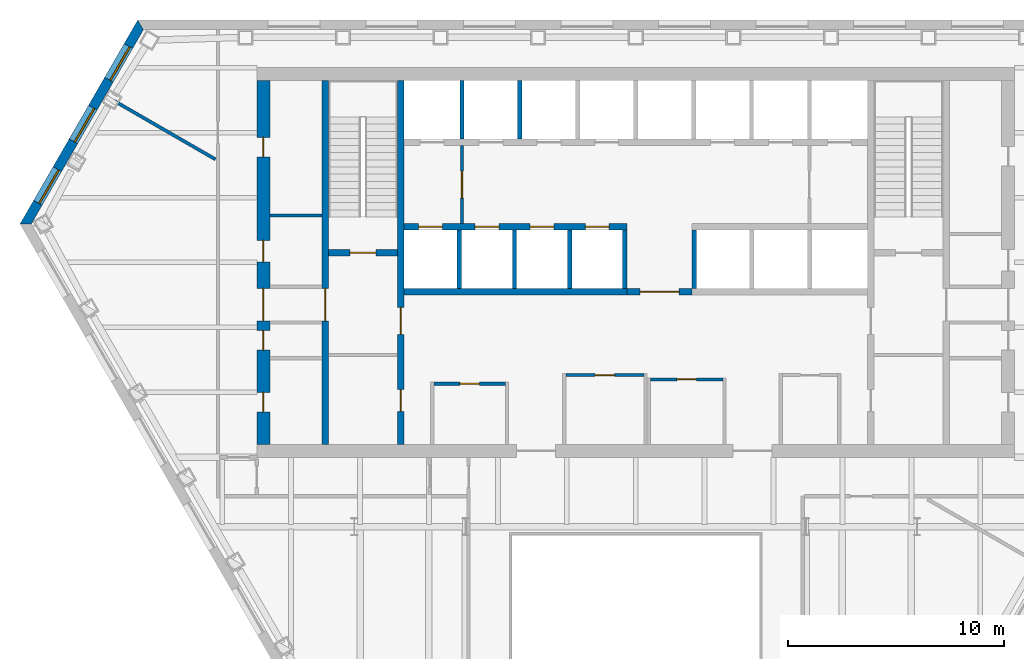
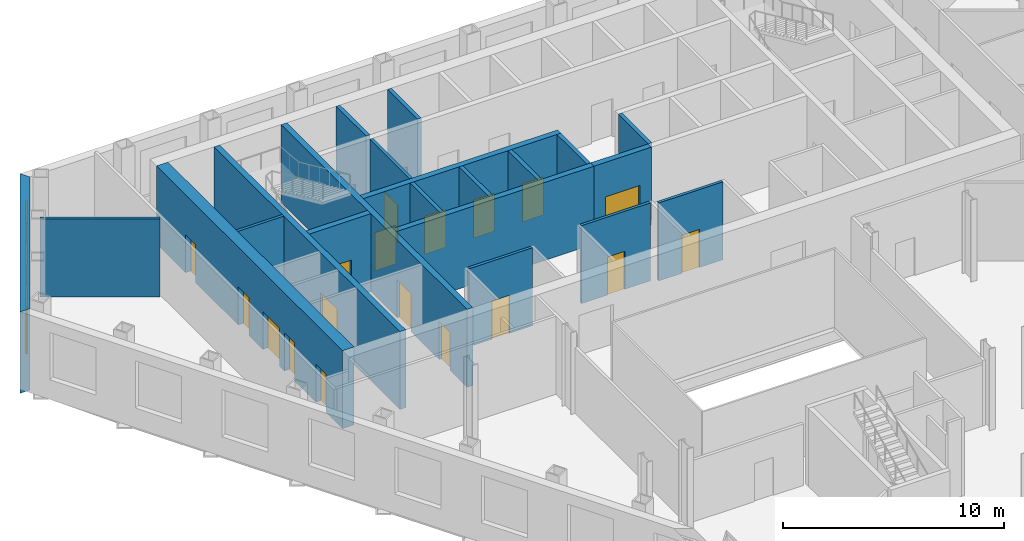
# One storey, part 6 of 11: 21 walls, 18 doors, 3 windows, 21 openings.
"""IFC4 building model written with IfcOpenShell, lengths in metres."""

import ifcopenshell
import ifcopenshell.guid

model = None  # the IFC model being written
_history = None  # IfcOwnerHistory: only IFC2X3 demands one
_inside = {}  # id of a spatial element -> (the spatial element, [elements in it])
_under = {}  # id of a project, library or spatial element -> (it, [spatial elements below it])
_declared = {}  # id of a project -> (the project, [libraries it declares])
_typed = {}  # id of a type object -> (the type object, [elements of that type])
_made_of = {}  # id of a material, layer set ... -> (it, [elements and type objects made of it])


def new_model(schema):
    """Start an empty IFC model of exactly this schema.

    Asked for "IFC4X3", IfcOpenShell would pick the latest addendum, in which some entities
    have other attributes; the version numbers below select the first issue.
    IFC2X3 requires an IfcOwnerHistory on every rooted entity: one is made here for all.
    """
    global model, _history
    if schema == "IFC4X3":
        model = ifcopenshell.file(schema_version=(4, 3, 0, 0))
    else:
        model = ifcopenshell.file(schema=schema)
    _inside.clear()
    _under.clear()
    _declared.clear()
    _typed.clear()
    _made_of.clear()
    _history = None
    if model.schema == "IFC2X3":
        org = make("IfcOrganization", Name="unknown")
        user = make(
            "IfcPersonAndOrganization",
            ThePerson=make("IfcPerson", FamilyName="unknown"),
            TheOrganization=org,
        )
        app = make(
            "IfcApplication",
            ApplicationDeveloper=org,
            Version="unknown",
            ApplicationFullName="unknown",
            ApplicationIdentifier="unknown",
        )
        _history = make(
            "IfcOwnerHistory",
            OwningUser=user,
            OwningApplication=app,
            ChangeAction="ADDED",
            CreationDate=0,
        )
    return model


def make(cls, **values):
    """One entity of the class cls with the attributes given. An attribute that is None is left unset."""
    return model.create_entity(
        cls, **{name: value for name, value in values.items() if value is not None}
    )


def rooted(cls, **values):
    """An entity with a GlobalId (a new one), such as an element, a storey or a relation."""
    return make(cls, GlobalId=ifcopenshell.guid.new(), OwnerHistory=_history, **values)


def si_unit(unit_type, name, prefix=None):
    """IfcSIUnit, for example si_unit("LENGTHUNIT", "METRE", prefix="MILLI")."""
    return make("IfcSIUnit", UnitType=unit_type, Prefix=prefix, Name=name)


def assignment(units):
    """IfcUnitAssignment: the units of a project."""
    return None if units is None else make("IfcUnitAssignment", Units=units)


def point(xyz):
    """IfcCartesianPoint."""
    return None if xyz is None else make("IfcCartesianPoint", Coordinates=xyz)


def direction(xyz):
    """IfcDirection."""
    return None if xyz is None else make("IfcDirection", DirectionRatios=xyz)


def frame(location, z_axis=None, x_axis=None):
    """IfcAxis2Placement3D, a coordinate frame: its origin and axes. An axis left out is left unset."""
    return make(
        "IfcAxis2Placement3D",
        Location=point(location),
        Axis=direction(z_axis),
        RefDirection=direction(x_axis),
    )


def frame_2d(location, x_axis=None):
    """IfcAxis2Placement2D, a coordinate frame in the plane: its origin and x axis."""
    return make(
        "IfcAxis2Placement2D", Location=point(location), RefDirection=direction(x_axis)
    )


def origin():
    """The frame at (0, 0, 0) with its axes left unset."""
    return frame((0.0, 0.0, 0.0))


def place(relative_to, where):
    """IfcLocalPlacement: puts the frame where relative to a parent placement (None: the world)."""
    return make(
        "IfcLocalPlacement", PlacementRelTo=relative_to, RelativePlacement=where
    )


def context(
    kind, dimensions, precision=None, world=None, true_north=None, identifier=None
):
    """IfcGeometricRepresentationContext, for example the 3D "Model" context."""
    return make(
        "IfcGeometricRepresentationContext",
        ContextIdentifier=identifier,
        ContextType=kind,
        CoordinateSpaceDimension=dimensions,
        Precision=precision,
        WorldCoordinateSystem=world,
        TrueNorth=true_north,
    )


def subcontext(parent, identifier, kind, view, scale=None):
    """IfcGeometricRepresentationSubContext, for example "Body" below "Model"."""
    return make(
        "IfcGeometricRepresentationSubContext",
        ContextIdentifier=identifier,
        ContextType=kind,
        ParentContext=parent,
        TargetScale=scale,
        TargetView=view,
    )


def project(units=None, contexts=None):
    """IfcProject with its units and contexts."""
    return rooted(
        "IfcProject",
        Name="project",
        RepresentationContexts=contexts,
        UnitsInContext=assignment(units),
    )


def spatial(cls, under=None, at=None, **own):
    """A site, building, storey or space (cls), placed at a placement, below another one or the project."""
    s = rooted(cls, ObjectPlacement=at, **own)
    if under is not None:
        _under.setdefault(under.id(), (under, []))[1].append(s)
    return s


def polyline(points):
    """IfcPolyline through the points."""
    return make("IfcPolyline", Points=[point(p) for p in points])


def profile(cls, at=None, kind="AREA", **sizes):
    """A parametric profile (cls). Its sizes go by their IFC names, for example OverallWidth=200.0."""
    return make(cls, ProfileType=kind, Position=at, **sizes)


def rectangle(**sizes):
    """IfcRectangleProfileDef."""
    return profile("IfcRectangleProfileDef", **sizes)


def outline(outer, holes=None, kind="AREA"):
    """IfcArbitraryClosedProfileDef: a profile drawn as a closed curve; with holes, ...WithVoids."""
    if holes is None:
        return make("IfcArbitraryClosedProfileDef", ProfileType=kind, OuterCurve=outer)
    return make(
        "IfcArbitraryProfileDefWithVoids",
        ProfileType=kind,
        OuterCurve=outer,
        InnerCurves=holes,
    )


def extrude(swept, where, along, depth):
    """IfcExtrudedAreaSolid: the profile swept, set in the frame where, extruded along a direction by depth."""
    return make(
        "IfcExtrudedAreaSolid",
        SweptArea=swept,
        Position=where,
        ExtrudedDirection=direction(along),
        Depth=depth,
    )


def shape(context_of_items, identifier, shape_type, items):
    """IfcShapeRepresentation: the items that make up one representation, for example the "Body"."""
    return make(
        "IfcShapeRepresentation",
        ContextOfItems=context_of_items,
        RepresentationIdentifier=identifier,
        RepresentationType=shape_type,
        Items=items,
    )


def material(Name=None, Category=None):
    """IfcMaterial."""
    return make("IfcMaterial", Name=Name, Category=Category)


def layer(
    of_material, thickness, ventilated=None, Name=None, Category=None, Priority=None
):
    """IfcMaterialLayer: one layer of a wall or slab, of a material (None: an air gap)."""
    return make(
        "IfcMaterialLayer",
        Material=of_material,
        LayerThickness=thickness,
        IsVentilated=ventilated,
        Name=Name,
        Category=Category,
        Priority=Priority,
    )


def layer_set(layers, Name=None):
    """IfcMaterialLayerSet."""
    return make("IfcMaterialLayerSet", MaterialLayers=layers, LayerSetName=Name)


def made_of(thing, what):
    """Note that an element or type object is made of a material, layer set ...; save() writes the relation."""
    if what is not None:
        _made_of.setdefault(what.id(), (what, []))[1].append(thing)
    return thing


def type_object(cls, material=None, **own):
    """A type object (cls), such as IfcWallType, which elements share."""
    return made_of(rooted(cls, **own), material)


def element(
    cls,
    number,
    at=None,
    inside=None,
    cuts=None,
    type_object=None,
    material=None,
    context=None,
    identifier="Body",
    shape_type=None,
    held_by="IfcProductDefinitionShape",
    body=None,
    shapes=None,
    **own,
):
    """One element of the class cls, such as IfcWall. Its Tag is "e" and its number.

    at: its placement. inside: the storey or other place that contains it. cuts: it is an
    opening in that element (IfcRelVoidsElement). A single representation is given by context,
    identifier, shape_type and body (its items); several are given by shapes. held_by: the class
    of the entity that holds the representations. save() writes the other relations.
    """
    e = rooted(cls, Tag="e%d" % number, ObjectPlacement=at, **own)
    if body is not None:
        shapes = [shape(context, identifier, shape_type, body)]
    if shapes is not None:
        e.Representation = make(held_by, Representations=shapes)
    if inside is not None:
        _inside.setdefault(inside.id(), (inside, []))[1].append(e)
    if cuts is not None:
        rooted(
            "IfcRelVoidsElement", RelatingBuildingElement=cuts, RelatedOpeningElement=e
        )
    if type_object is not None:
        _typed.setdefault(type_object.id(), (type_object, []))[1].append(e)
    return made_of(e, material)


def fill(opening, filler):
    """IfcRelFillsElement: the door or window that sits in an opening."""
    return rooted(
        "IfcRelFillsElement",
        RelatingOpeningElement=opening,
        RelatedBuildingElement=filler,
    )


def aggregate(whole, parts):
    """IfcRelAggregates: a whole, such as a stair, and the parts it consists of."""
    return rooted("IfcRelAggregates", RelatingObject=whole, RelatedObjects=parts)


def save(model, path):
    """Write the relations noted so far, then the file.

    IfcRelAggregates (storeys below a building ...), IfcRelContainedInSpatialStructure (elements
    in a storey), IfcRelDefinesByType, IfcRelAssociatesMaterial and IfcRelDeclares: one each for
    every whole, place, type object, material and project.
    """
    for whole, parts in _under.values():
        aggregate(whole, parts)
    for where, things in _inside.values():
        rooted(
            "IfcRelContainedInSpatialStructure",
            RelatedElements=things,
            RelatingStructure=where,
        )
    for kind, things in _typed.values():
        rooted("IfcRelDefinesByType", RelatedObjects=things, RelatingType=kind)
    for what, things in _made_of.values():
        rooted("IfcRelAssociatesMaterial", RelatedObjects=things, RelatingMaterial=what)
    for by, libraries in _declared.values():
        rooted("IfcRelDeclares", RelatingContext=by, RelatedDefinitions=libraries)
    model.write(path)


model = new_model("IFC4")

# Units and contexts
model_context = context("Model", 3, precision=1e-05, world=origin(), true_north=direction((0.0, 1.0)))
body_context = subcontext(model_context, "Body", "Model", "MODEL_VIEW")
ifc_project = project(units=[si_unit("LENGTHUNIT", "METRE"), si_unit("AREAUNIT", "SQUARE_METRE"), si_unit("VOLUMEUNIT", "CUBIC_METRE"), si_unit("PLANEANGLEUNIT", "RADIAN"), si_unit("MASSUNIT", "GRAM", prefix="KILO")], contexts=[model_context])

# Site, building, storey
site_placement = place(None, origin())
site = spatial("IfcSite", under=ifc_project, at=site_placement, CompositionType="ELEMENT")
building_placement = place(site_placement, origin())
building = spatial("IfcBuilding", under=site, at=building_placement, Name="Njiva Tower", CompositionType="ELEMENT")
storey_placement = place(building_placement, frame((0.0, 0.0, 69.3)))
storey = spatial("IfcBuildingStorey", under=building, at=storey_placement, Name="L14", CompositionType="ELEMENT", Elevation=69.3)

# Wall
ifc_material_1 = material(Name="Blockwork", Category="masonry")
ifc_layer_1 = layer(ifc_material_1, 0.15)
ifc_layer_set_1 = layer_set([ifc_layer_1], Name="Blockwork")
wall_type_1 = type_object("IfcWallType", Name="WT1 Compartment partition 150", PredefinedType="PARTITIONING", material=ifc_layer_set_1)
wall_1_placement = place(storey_placement, frame((-16.9, 11.1709, 0.0), z_axis=(0.0, 0.0, 1.0), x_axis=(1.0, 0.0, 0.0)))
element("IfcWall", 1, at=wall_1_placement, inside=storey, type_object=wall_type_1, Name="Partition strip W10", PredefinedType="PARTITIONING", context=body_context, shape_type="SweptSolid", body=[
    extrude(rectangle(XDim=2.4, YDim=0.15, at=frame_2d((1.2, 0.0))), origin(), (0.0, 0.0, 1.0), 4.3),
])

# Wall, opening, door
wall_2_placement = place(storey_placement, frame((-9.325, 3.4, 0.0), z_axis=(0.0, 0.0, 1.0), x_axis=(1.0, 0.0, 0.0)))
wall_2 = element("IfcWall", 2, at=wall_2_placement, inside=storey, type_object=wall_type_1, Name="Post room wall north", PredefinedType="PARTITIONING", context=body_context, shape_type="SweptSolid", body=[
    extrude(rectangle(XDim=3.3, YDim=0.15, at=frame_2d((1.65, 0.0))), origin(), (0.0, 0.0, 1.0), 4.3),
])
opening_1_placement = place(wall_2_placement, frame((1.2, 0.0, 0.0)))
opening_1 = element("IfcOpeningElement", 3, at=opening_1_placement, cuts=wall_2, Name="Opening S05-D932", PredefinedType="OPENING", context=body_context, shape_type="SweptSolid", body=[
    extrude(rectangle(XDim=0.9, YDim=2.1, at=frame_2d((0.45, 1.05))), frame((0.0, 0.085, 0.0), z_axis=(0.0, -1.0, 0.0), x_axis=(1.0, 0.0, 0.0)), (0.0, 0.0, 1.0), 0.17),
])
ifc_material_2 = material(Name="Steel fire door, painted", Category="steel")
door_type_1 = type_object("IfcDoorType", Name="D6 Fire-rated door 900x2100", OperationType="SINGLE_SWING_LEFT", PredefinedType="DOOR", material=ifc_material_2)
door_1_placement = place(opening_1_placement, origin())
door_1 = element("IfcDoor", 4, at=door_1_placement, inside=storey, type_object=door_type_1, Name="Post room door", OperationType="SINGLE_SWING_RIGHT", OverallHeight=2.1, OverallWidth=0.9, PredefinedType="DOOR", context=body_context, shape_type="SweptSolid", body=[
    extrude(rectangle(XDim=0.9, YDim=2.1, at=frame_2d((0.45, 1.05))), frame((0.0, 0.025, 0.0), z_axis=(0.0, -1.0, 0.0), x_axis=(1.0, 0.0, 0.0)), (0.0, 0.0, 1.0), 0.05),
])
fill(opening_1, door_1)

wall_3_placement = place(storey_placement, frame((-3.225, 3.8, 0.0), z_axis=(0.0, 0.0, 1.0), x_axis=(1.0, 0.0, 0.0)))
wall_3 = element("IfcWall", 5, at=wall_3_placement, inside=storey, type_object=wall_type_1, Name="Information office wall north", PredefinedType="PARTITIONING", context=body_context, shape_type="SweptSolid", body=[
    extrude(rectangle(XDim=3.6, YDim=0.15, at=frame_2d((1.8, 0.0))), origin(), (0.0, 0.0, 1.0), 4.3),
])
opening_2_placement = place(wall_3_placement, frame((1.35, 0.0, 0.0)))
opening_2 = element("IfcOpeningElement", 6, at=opening_2_placement, cuts=wall_3, Name="Opening S05-D933", PredefinedType="OPENING", context=body_context, shape_type="SweptSolid", body=[
    extrude(rectangle(XDim=0.9, YDim=2.1, at=frame_2d((0.45, 1.05))), frame((0.0, 0.085, 0.0), z_axis=(0.0, -1.0, 0.0), x_axis=(1.0, 0.0, 0.0)), (0.0, 0.0, 1.0), 0.17),
])
door_2_placement = place(opening_2_placement, origin())
door_2 = element("IfcDoor", 7, at=door_2_placement, inside=storey, type_object=door_type_1, Name="Information office door", OperationType="SINGLE_SWING_LEFT", OverallHeight=2.1, OverallWidth=0.9, PredefinedType="DOOR", context=body_context, shape_type="SweptSolid", body=[
    extrude(rectangle(XDim=0.9, YDim=2.1, at=frame_2d((0.45, 1.05))), frame((0.0, 0.025, 0.0), z_axis=(0.0, -1.0, 0.0), x_axis=(1.0, 0.0, 0.0)), (0.0, 0.0, 1.0), 0.05),
])
fill(opening_2, door_2)

wall_4_placement = place(storey_placement, frame((0.675, 3.6, 0.0), z_axis=(0.0, 0.0, 1.0), x_axis=(1.0, 0.0, 0.0)))
wall_4 = element("IfcWall", 8, at=wall_4_placement, inside=storey, type_object=wall_type_1, Name="Tenant reception wall north", PredefinedType="PARTITIONING", context=body_context, shape_type="SweptSolid", body=[
    extrude(rectangle(XDim=3.35, YDim=0.15, at=frame_2d((1.675, 0.0))), origin(), (0.0, 0.0, 1.0), 4.3),
])
opening_3_placement = place(wall_4_placement, frame((1.225, 0.0, 0.0)))
opening_3 = element("IfcOpeningElement", 9, at=opening_3_placement, cuts=wall_4, Name="Opening S05-D934", PredefinedType="OPENING", context=body_context, shape_type="SweptSolid", body=[
    extrude(rectangle(XDim=0.9, YDim=2.1, at=frame_2d((0.45, 1.05))), frame((0.0, 0.085, 0.0), z_axis=(0.0, -1.0, 0.0), x_axis=(1.0, 0.0, 0.0)), (0.0, 0.0, 1.0), 0.17),
])
door_3_placement = place(opening_3_placement, origin())
door_3 = element("IfcDoor", 10, at=door_3_placement, inside=storey, type_object=door_type_1, Name="Tenant reception door", OperationType="SINGLE_SWING_LEFT", OverallHeight=2.1, OverallWidth=0.9, PredefinedType="DOOR", context=body_context, shape_type="SweptSolid", body=[
    extrude(rectangle(XDim=0.9, YDim=2.1, at=frame_2d((0.45, 1.05))), frame((0.0, 0.025, 0.0), z_axis=(0.0, -1.0, 0.0), x_axis=(1.0, 0.0, 0.0)), (0.0, 0.0, 1.0), 0.05),
])
fill(opening_3, door_3)

# Wall, openings, doors
ifc_material_3 = material(Name="Concrete C40/50", Category="concrete")
ifc_layer_2 = layer(ifc_material_3, 0.3)
ifc_layer_set_2 = layer_set([ifc_layer_2], Name="Concrete C40/50")
wall_type_2 = type_object("IfcWallType", Name="WT10 Stair enclosure wall 300", PredefinedType="SHEAR", material=ifc_layer_set_2)
wall_5_placement = place(storey_placement, frame((-10.85, 0.6, 0.0), z_axis=(0.0, 0.0, 1.0), x_axis=(0.0, 1.0, 0.0)))
wall_5 = element("IfcWall", 11, at=wall_5_placement, inside=storey, type_object=wall_type_2, Name="Stair wall west inner", PredefinedType="SHEAR", context=body_context, shape_type="SweptSolid", body=[
    extrude(rectangle(XDim=16.8, YDim=0.3, at=frame_2d((8.4, 0.0))), origin(), (0.0, 0.0, 1.0), 4.3),
])
opening_4_placement = place(wall_5_placement, frame((5.075, 0.0, 0.0)))
opening_4 = element("IfcOpeningElement", 12, at=opening_4_placement, cuts=wall_5, Name="Opening S05-D914", PredefinedType="OPENING", context=body_context, shape_type="SweptSolid", body=[
    extrude(rectangle(XDim=1.25, YDim=2.1, at=frame_2d((0.625, 1.05))), frame((0.0, 0.16, 0.0), z_axis=(0.0, -1.0, 0.0), x_axis=(1.0, 0.0, 0.0)), (0.0, 0.0, 1.0), 0.32),
])
opening_5_placement = place(wall_5_placement, frame((1.525, 0.0, 0.0)))
opening_5 = element("IfcOpeningElement", 13, at=opening_5_placement, cuts=wall_5, Name="Opening S05-D915", PredefinedType="OPENING", context=body_context, shape_type="SweptSolid", body=[
    extrude(rectangle(XDim=1.0, YDim=2.1, at=frame_2d((0.5, 1.05))), frame((0.0, 0.16, 0.0), z_axis=(0.0, -1.0, 0.0), x_axis=(1.0, 0.0, 0.0)), (0.0, 0.0, 1.0), 0.32),
])
ifc_material_4 = material(Name="Steel door, painted", Category="steel")
door_type_2 = type_object("IfcDoorType", Name="D5 Steel door 1000x2100", OperationType="SINGLE_SWING_LEFT", PredefinedType="DOOR", material=ifc_material_4)
door_4_placement = place(opening_5_placement, origin())
door_4 = element("IfcDoor", 14, at=door_4_placement, inside=storey, type_object=door_type_2, Name="Breakout room door", OperationType="SINGLE_SWING_RIGHT", OverallHeight=2.1, OverallWidth=1.0, PredefinedType="DOOR", context=body_context, shape_type="SweptSolid", body=[
    extrude(rectangle(XDim=1.0, YDim=2.1, at=frame_2d((0.5, 1.05))), frame((0.0, 0.025, 0.0), z_axis=(0.0, -1.0, 0.0), x_axis=(1.0, 0.0, 0.0)), (0.0, 0.0, 1.0), 0.05),
])
fill(opening_5, door_4)
ifc_material_5 = material(Name="Glazed steel fire door", Category="steel")
door_type_3 = type_object("IfcDoorType", Name="D8 Vestibule corridor door 1250x2100 glazed", OperationType="SINGLE_SWING_LEFT", PredefinedType="DOOR", material=ifc_material_5)
door_5_placement = place(opening_4_placement, origin())
door_5 = element("IfcDoor", 15, at=door_5_placement, inside=storey, type_object=door_type_3, Name="Stair vestibule corridor door", OperationType="SINGLE_SWING_LEFT", OverallHeight=2.1, OverallWidth=1.25, PredefinedType="DOOR", context=body_context, shape_type="SweptSolid", body=[
    extrude(rectangle(XDim=1.25, YDim=2.1, at=frame_2d((0.625, 1.05))), frame((0.0, 0.025, 0.0), z_axis=(0.0, -1.0, 0.0), x_axis=(1.0, 0.0, 0.0)), (0.0, 0.0, 1.0), 0.05),
])
fill(opening_4, door_5)

# Wall, opening, door
wall_6_placement = place(storey_placement, frame((-14.35, 0.6, 0.0), z_axis=(0.0, 0.0, 1.0), x_axis=(0.0, 1.0, 0.0)))
wall_6 = element("IfcWall", 16, at=wall_6_placement, inside=storey, type_object=wall_type_2, Name="Stair wall west outer", PredefinedType="SHEAR", context=body_context, shape_type="SweptSolid", body=[
    extrude(rectangle(XDim=16.8, YDim=0.3, at=frame_2d((8.4, 0.0))), origin(), (0.0, 0.0, 1.0), 4.3),
])
opening_6_placement = place(wall_6_placement, frame((5.7, 0.0, 0.0)))
opening_6 = element("IfcOpeningElement", 17, at=opening_6_placement, cuts=wall_6, Name="Opening S05-D920", PredefinedType="OPENING", context=body_context, shape_type="SweptSolid", body=[
    extrude(rectangle(XDim=1.5, YDim=2.1, at=frame_2d((0.75, 1.05))), frame((0.0, 0.16, 0.0), z_axis=(0.0, -1.0, 0.0), x_axis=(1.0, 0.0, 0.0)), (0.0, 0.0, 1.0), 0.32),
])
door_type_4 = type_object("IfcDoorType", Name="D10 Exit door double 1500x2100 glazed", OperationType="DOUBLE_DOOR_SINGLE_SWING", PredefinedType="DOOR", material=ifc_material_5)
door_6_placement = place(opening_6_placement, origin())
door_6 = element("IfcDoor", 18, at=door_6_placement, inside=storey, type_object=door_type_4, Name="Stair A passage door", OperationType="DOUBLE_DOOR_SINGLE_SWING", OverallHeight=2.1, OverallWidth=1.5, PredefinedType="DOOR", context=body_context, shape_type="SweptSolid", body=[
    extrude(rectangle(XDim=1.5, YDim=2.1, at=frame_2d((0.75, 1.05))), frame((0.0, 0.025, 0.0), z_axis=(0.0, -1.0, 0.0), x_axis=(1.0, 0.0, 0.0)), (0.0, 0.0, 1.0), 0.05),
])
fill(opening_6, door_6)

wall_7_placement = place(storey_placement, frame((-14.2, 9.45, 0.0), z_axis=(0.0, 0.0, 1.0), x_axis=(1.0, 0.0, 0.0)))
wall_7 = element("IfcWall", 19, at=wall_7_placement, inside=storey, type_object=wall_type_2, Name="Stair A south wall", PredefinedType="SHEAR", context=body_context, shape_type="SweptSolid", body=[
    extrude(rectangle(XDim=3.2, YDim=0.3, at=frame_2d((1.6, 0.0))), origin(), (0.0, 0.0, 1.0), 4.3),
])
opening_7_placement = place(wall_7_placement, frame((1.0, 0.0, 0.0)))
opening_7 = element("IfcOpeningElement", 20, at=opening_7_placement, cuts=wall_7, Name="Opening S05-D913", PredefinedType="OPENING", context=body_context, shape_type="SweptSolid", body=[
    extrude(rectangle(XDim=1.2, YDim=2.1, at=frame_2d((0.6, 1.05))), frame((0.0, 0.16, 0.0), z_axis=(0.0, -1.0, 0.0), x_axis=(1.0, 0.0, 0.0)), (0.0, 0.0, 1.0), 0.32),
])
door_type_5 = type_object("IfcDoorType", Name="D7 Stair vestibule door 1200x2100 glazed", OperationType="SINGLE_SWING_LEFT", PredefinedType="DOOR", material=ifc_material_5)
door_7_placement = place(opening_7_placement, origin())
door_7 = element("IfcDoor", 21, at=door_7_placement, inside=storey, type_object=door_type_5, Name="Stair A door", OperationType="SINGLE_SWING_LEFT", OverallHeight=2.1, OverallWidth=1.2, PredefinedType="DOOR", context=body_context, shape_type="SweptSolid", body=[
    extrude(rectangle(XDim=1.2, YDim=2.1, at=frame_2d((0.6, 1.05))), frame((0.0, 0.025, 0.0), z_axis=(0.0, -1.0, 0.0), x_axis=(1.0, 0.0, 0.0)), (0.0, 0.0, 1.0), 0.05),
])
fill(opening_7, door_7)

# Wall, openings, doors
ifc_material_6 = material(Name="Concrete C60/75", Category="concrete")
ifc_layer_3 = layer(ifc_material_6, 0.6)
ifc_layer_set_3 = layer_set([ifc_layer_3], Name="Concrete C60/75")
wall_type_3 = type_object("IfcWallType", Name="WT15 Core wall 600", PredefinedType="SHEAR", material=ifc_layer_set_3)
wall_8_placement = place(storey_placement, frame((-17.2, 0.6, 0.0), z_axis=(0.0, 0.0, 1.0), x_axis=(0.0, 1.0, 0.0)))
wall_8 = element("IfcWall", 22, at=wall_8_placement, inside=storey, type_object=wall_type_3, Name="Core wall west", PredefinedType="SHEAR", context=body_context, shape_type="SweptSolid", body=[
    extrude(rectangle(XDim=16.8, YDim=0.6, at=frame_2d((8.4, 0.0))), origin(), (0.0, 0.0, 1.0), 4.3),
])
opening_8_placement = place(wall_8_placement, frame((5.7, 0.0, 0.0)))
opening_8 = element("IfcOpeningElement", 23, at=opening_8_placement, cuts=wall_8, Name="Opening S05-D921", PredefinedType="OPENING", context=body_context, shape_type="SweptSolid", body=[
    extrude(rectangle(XDim=1.5, YDim=2.1, at=frame_2d((0.75, 1.05))), frame((0.0, 0.31, 0.0), z_axis=(0.0, -1.0, 0.0), x_axis=(1.0, 0.0, 0.0)), (0.0, 0.0, 1.0), 0.62),
])
opening_9_placement = place(wall_8_placement, frame((1.5, 0.0, 0.0)))
opening_9 = element("IfcOpeningElement", 24, at=opening_9_placement, cuts=wall_8, Name="Opening S05-D922", PredefinedType="OPENING", context=body_context, shape_type="SweptSolid", body=[
    extrude(rectangle(XDim=0.9, YDim=2.1, at=frame_2d((0.45, 1.05))), frame((0.0, 0.31, 0.0), z_axis=(0.0, -1.0, 0.0), x_axis=(1.0, 0.0, 0.0)), (0.0, 0.0, 1.0), 0.62),
])
opening_10_placement = place(wall_8_placement, frame((4.35, 0.0, 0.0)))
opening_10 = element("IfcOpeningElement", 25, at=opening_10_placement, cuts=wall_8, Name="Opening S05-D923", PredefinedType="OPENING", context=body_context, shape_type="SweptSolid", body=[
    extrude(rectangle(XDim=0.9, YDim=2.1, at=frame_2d((0.45, 1.05))), frame((0.0, 0.31, 0.0), z_axis=(0.0, -1.0, 0.0), x_axis=(1.0, 0.0, 0.0)), (0.0, 0.0, 1.0), 0.62),
])
opening_11_placement = place(wall_8_placement, frame((8.423, 0.0, 0.0)))
opening_11 = element("IfcOpeningElement", 26, at=opening_11_placement, cuts=wall_8, Name="Opening S05-D924", PredefinedType="OPENING", context=body_context, shape_type="SweptSolid", body=[
    extrude(rectangle(XDim=1.0, YDim=2.1, at=frame_2d((0.5, 1.05))), frame((0.0, 0.31, 0.0), z_axis=(0.0, -1.0, 0.0), x_axis=(1.0, 0.0, 0.0)), (0.0, 0.0, 1.0), 0.62),
])
opening_12_placement = place(wall_8_placement, frame((13.273, 0.0, 0.0)))
opening_12 = element("IfcOpeningElement", 27, at=opening_12_placement, cuts=wall_8, Name="Opening S05-D925", PredefinedType="OPENING", context=body_context, shape_type="SweptSolid", body=[
    extrude(rectangle(XDim=0.9, YDim=2.1, at=frame_2d((0.45, 1.05))), frame((0.0, 0.31, 0.0), z_axis=(0.0, -1.0, 0.0), x_axis=(1.0, 0.0, 0.0)), (0.0, 0.0, 1.0), 0.62),
])
door_8_placement = place(opening_8_placement, origin())
door_8 = element("IfcDoor", 28, at=door_8_placement, inside=storey, type_object=door_type_4, Name="Stair A corridor door", OperationType="DOUBLE_DOOR_SINGLE_SWING", OverallHeight=2.1, OverallWidth=1.5, PredefinedType="DOOR", context=body_context, shape_type="SweptSolid", body=[
    extrude(rectangle(XDim=1.5, YDim=2.1, at=frame_2d((0.75, 1.05))), frame((0.0, 0.025, 0.0), z_axis=(0.0, -1.0, 0.0), x_axis=(1.0, 0.0, 0.0)), (0.0, 0.0, 1.0), 0.05),
])
fill(opening_8, door_8)
door_type_6 = type_object("IfcDoorType", Name="D4 Riser door 900x2100", OperationType="SINGLE_SWING_LEFT", PredefinedType="DOOR", material=ifc_material_4)
door_9_placement = place(opening_10_placement, origin())
door_9 = element("IfcDoor", 29, at=door_9_placement, inside=storey, type_object=door_type_6, Name="Riser door", OperationType="SINGLE_SWING_RIGHT", OverallHeight=2.1, OverallWidth=0.9, PredefinedType="DOOR", context=body_context, shape_type="SweptSolid", body=[
    extrude(rectangle(XDim=0.9, YDim=2.1, at=frame_2d((0.45, 1.05))), frame((0.0, 0.025, 0.0), z_axis=(0.0, -1.0, 0.0), x_axis=(1.0, 0.0, 0.0)), (0.0, 0.0, 1.0), 0.05),
])
fill(opening_10, door_9)
door_10_placement = place(opening_11_placement, origin())
door_10 = element("IfcDoor", 30, at=door_10_placement, inside=storey, type_object=door_type_2, Name="Electrical room door", OperationType="SINGLE_SWING_RIGHT", OverallHeight=2.1, OverallWidth=1.0, PredefinedType="DOOR", context=body_context, shape_type="SweptSolid", body=[
    extrude(rectangle(XDim=1.0, YDim=2.1, at=frame_2d((0.5, 1.05))), frame((0.0, 0.025, 0.0), z_axis=(0.0, -1.0, 0.0), x_axis=(1.0, 0.0, 0.0)), (0.0, 0.0, 1.0), 0.05),
])
fill(opening_11, door_10)
door_11_placement = place(opening_9_placement, origin())
door_11 = element("IfcDoor", 31, at=door_11_placement, inside=storey, type_object=door_type_1, Name="First aid room door", OperationType="SINGLE_SWING_LEFT", OverallHeight=2.1, OverallWidth=0.9, PredefinedType="DOOR", context=body_context, shape_type="SweptSolid", body=[
    extrude(rectangle(XDim=0.9, YDim=2.1, at=frame_2d((0.45, 1.05))), frame((0.0, 0.025, 0.0), z_axis=(0.0, -1.0, 0.0), x_axis=(1.0, 0.0, 0.0)), (0.0, 0.0, 1.0), 0.05),
])
fill(opening_9, door_11)
door_12_placement = place(opening_12_placement, origin())
door_12 = element("IfcDoor", 32, at=door_12_placement, inside=storey, type_object=door_type_1, Name="Breakout room door", OperationType="SINGLE_SWING_RIGHT", OverallHeight=2.1, OverallWidth=0.9, PredefinedType="DOOR", context=body_context, shape_type="SweptSolid", body=[
    extrude(rectangle(XDim=0.9, YDim=2.1, at=frame_2d((0.45, 1.05))), frame((0.0, 0.025, 0.0), z_axis=(0.0, -1.0, 0.0), x_axis=(1.0, 0.0, 0.0)), (0.0, 0.0, 1.0), 0.05),
])
fill(opening_12, door_12)

# Wall, opening, door
ifc_layer_4 = layer(ifc_material_1, 0.15)
ifc_layer_set_4 = layer_set([ifc_layer_4], Name="Blockwork")
wall_type_4 = type_object("IfcWallType", Name="WT2 Lobby partition 150", PredefinedType="PARTITIONING", material=ifc_layer_set_4)
wall_9_placement = place(storey_placement, frame((-8.025, 10.8, 0.0), z_axis=(0.0, 0.0, 1.0), x_axis=(0.0, 1.0, 0.0)))
wall_9 = element("IfcWall", 33, at=wall_9_placement, inside=storey, type_object=wall_type_4, Name="Firefighting lobby wall A", PredefinedType="PARTITIONING", context=body_context, shape_type="SweptSolid", body=[
    extrude(rectangle(XDim=3.6, YDim=0.15, at=frame_2d((1.8, 0.0))), origin(), (0.0, 0.0, 1.0), 4.3),
])
opening_13_placement = place(wall_9_placement, frame((1.175, 0.0, 0.0)))
opening_13 = element("IfcOpeningElement", 34, at=opening_13_placement, cuts=wall_9, Name="Opening S05-D912", PredefinedType="OPENING", context=body_context, shape_type="SweptSolid", body=[
    extrude(rectangle(XDim=1.25, YDim=2.1, at=frame_2d((0.625, 1.05))), frame((0.0, 0.085, 0.0), z_axis=(0.0, -1.0, 0.0), x_axis=(1.0, 0.0, 0.0)), (0.0, 0.0, 1.0), 0.17),
])
door_13_placement = place(opening_13_placement, origin())
door_13 = element("IfcDoor", 35, at=door_13_placement, inside=storey, type_object=door_type_3, Name="Stair vestibule corridor door", OperationType="SINGLE_SWING_RIGHT", OverallHeight=2.1, OverallWidth=1.25, PredefinedType="DOOR", context=body_context, shape_type="SweptSolid", body=[
    extrude(rectangle(XDim=1.25, YDim=2.1, at=frame_2d((0.625, 1.05))), frame((0.0, 0.025, 0.0), z_axis=(0.0, -1.0, 0.0), x_axis=(1.0, 0.0, 0.0)), (0.0, 0.0, 1.0), 0.05),
])
fill(opening_13, door_13)

# Wall
ifc_material_7 = material(Name="Gypsum board on steel studs", Category="gypsum")
ifc_layer_5 = layer(ifc_material_7, 0.15)
ifc_layer_set_5 = layer_set([ifc_layer_5], Name="Gypsum board on steel studs")
wall_type_5 = type_object("IfcWallType", Name="WT21 Compartment wall 150", PredefinedType="PARTITIONING", material=ifc_layer_set_5)
wall_10_placement = place(storey_placement, frame((-24.111, 16.476, 0.0), z_axis=(0.0, 0.0, 1.0), x_axis=(0.866102723824, -0.499866053843, 0.0)))
element("IfcWall", 36, at=wall_10_placement, inside=storey, type_object=wall_type_5, Name="Partition S05-P001", PredefinedType="PARTITIONING", context=body_context, shape_type="SweptSolid", body=[
    extrude(rectangle(XDim=5.4255, YDim=0.15, at=frame_2d((2.7128, 0.0))), origin(), (0.0, 0.0, 1.0), 4.3),
])

# Wall, opening, door
ifc_layer_6 = layer(ifc_material_1, 0.3)
ifc_layer_set_6 = layer_set([ifc_layer_6], Name="Blockwork")
wall_type_6 = type_object("IfcWallType", Name="WT5 Lobby partition 300", PredefinedType="PARTITIONING", material=ifc_layer_set_6)
wall_11_placement = place(storey_placement, frame((-0.4, 7.65, 0.0), z_axis=(0.0, 0.0, 1.0), x_axis=(1.0, 0.0, 0.0)))
wall_11 = element("IfcWall", 37, at=wall_11_placement, inside=storey, type_object=wall_type_6, Name="Lift lobby screen wall", PredefinedType="PARTITIONING", context=body_context, shape_type="SweptSolid", body=[
    extrude(rectangle(XDim=3.0, YDim=0.3, at=frame_2d((1.5, 0.0))), origin(), (0.0, 0.0, 1.0), 4.3),
])
opening_14_placement = place(wall_11_placement, frame((0.6, 0.0, 0.0)))
opening_14 = element("IfcOpeningElement", 38, at=opening_14_placement, cuts=wall_11, Name="Opening S05-D936", PredefinedType="OPENING", context=body_context, shape_type="SweptSolid", body=[
    extrude(rectangle(XDim=1.8, YDim=2.4, at=frame_2d((0.9, 1.2))), frame((0.0, 0.16, 0.0), z_axis=(0.0, -1.0, 0.0), x_axis=(1.0, 0.0, 0.0)), (0.0, 0.0, 1.0), 0.32),
])
ifc_material_8 = material(Name="Steel and glass door", Category="steel")
door_type_7 = type_object("IfcDoorType", Name="D3 Core entrance door 1800x2400", OperationType="DOUBLE_DOOR_SINGLE_SWING", PredefinedType="DOOR", material=ifc_material_8)
door_14_placement = place(opening_14_placement, origin())
door_14 = element("IfcDoor", 39, at=door_14_placement, inside=storey, type_object=door_type_7, Name="Core entrance door", OperationType="DOUBLE_DOOR_SINGLE_SWING", OverallHeight=2.4, OverallWidth=1.8, PredefinedType="DOOR", context=body_context, shape_type="SweptSolid", body=[
    extrude(rectangle(XDim=1.8, YDim=2.4, at=frame_2d((0.9, 1.2))), frame((0.0, 0.025, 0.0), z_axis=(0.0, -1.0, 0.0), x_axis=(1.0, 0.0, 0.0)), (0.0, 0.0, 1.0), 0.05),
])
fill(opening_14, door_14)

# Walls
ifc_layer_7 = layer(ifc_material_3, 0.2)
ifc_layer_set_7 = layer_set([ifc_layer_7], Name="Concrete C40/50")
wall_type_7 = type_object("IfcWallType", Name="WT6 Lift shaft wall 200", PredefinedType="SHEAR", material=ifc_layer_set_7)
for number, where, z_axis, x_axis, name in (
    (40, (-8.025, 14.7, 0.0), (0.0, 0.0, 1.0), (0.0, 1.0, 0.0), "Shaft wall CN1"),
    (41, (-5.35, 14.7, 0.0), (0.0, 0.0, 1.0), (0.0, 1.0, 0.0), "Shaft wall CN2"),
    (42, (-8.15, 7.8, 0.0), (0.0, 0.0, 1.0), (0.0, 1.0, 0.0), "Shaft wall CS1"),
    (43, (-5.6, 7.8, 0.0), (0.0, 0.0, 1.0), (0.0, 1.0, 0.0), "Shaft wall CS2"),
    (44, (-3.05, 7.8, 0.0), (0.0, 0.0, 1.0), (0.0, 1.0, 0.0), "Shaft wall CS3"),
    (45, (-0.5, 7.8, 0.0), (0.0, 0.0, 1.0), (0.0, 1.0, 0.0), "Shaft wall CS4"),
    (46, (2.7, 7.8, 0.0), (0.0, 0.0, 1.0), (0.0, 1.0, 0.0), "Shaft wall CS5"),
):
    element("IfcWall", number, at=place(storey_placement, frame(where, z_axis=z_axis, x_axis=x_axis)), inside=storey, type_object=wall_type_7, Name=name, PredefinedType="SHEAR", context=body_context, shape_type="SweptSolid", body=[
        extrude(rectangle(XDim=2.7, YDim=0.2, at=frame_2d((1.35, 0.0))), origin(), (0.0, 0.0, 1.0), 4.3),
    ])

# Wall, openings, doors
ifc_layer_8 = layer(ifc_material_3, 0.3)
ifc_layer_set_8 = layer_set([ifc_layer_8], Name="Concrete C40/50")
wall_type_8 = type_object("IfcWallType", Name="WT7 Lift shaft wall 300", PredefinedType="SHEAR", material=ifc_layer_set_8)
wall_12_placement = place(storey_placement, frame((-10.7, 10.65, 0.0), z_axis=(0.0, 0.0, 1.0), x_axis=(1.0, 0.0, 0.0)))
wall_12 = element("IfcWall", 47, at=wall_12_placement, inside=storey, type_object=wall_type_8, Name="Shaft wall south row lobby side W", PredefinedType="SHEAR", context=body_context, shape_type="SweptSolid", body=[
    extrude(rectangle(XDim=10.3, YDim=0.3, at=frame_2d((5.15, 0.0))), origin(), (0.0, 0.0, 1.0), 4.3),
])
opening_15_placement = place(wall_12_placement, frame((0.675, 0.0, 0.0)))
opening_15 = element("IfcOpeningElement", 48, at=opening_15_placement, cuts=wall_12, Name="Opening S05-D908", PredefinedType="OPENING", context=body_context, shape_type="SweptSolid", body=[
    extrude(rectangle(XDim=1.1, YDim=2.1, at=frame_2d((0.55, 1.05))), frame((0.0, 0.16, 0.0), z_axis=(0.0, -1.0, 0.0), x_axis=(1.0, 0.0, 0.0)), (0.0, 0.0, 1.0), 0.32),
])
opening_16_placement = place(wall_12_placement, frame((3.275, 0.0, 0.0)))
opening_16 = element("IfcOpeningElement", 49, at=opening_16_placement, cuts=wall_12, Name="Opening S05-D909", PredefinedType="OPENING", context=body_context, shape_type="SweptSolid", body=[
    extrude(rectangle(XDim=1.1, YDim=2.1, at=frame_2d((0.55, 1.05))), frame((0.0, 0.16, 0.0), z_axis=(0.0, -1.0, 0.0), x_axis=(1.0, 0.0, 0.0)), (0.0, 0.0, 1.0), 0.32),
])
opening_17_placement = place(wall_12_placement, frame((5.825, 0.0, 0.0)))
opening_17 = element("IfcOpeningElement", 50, at=opening_17_placement, cuts=wall_12, Name="Opening S05-D910", PredefinedType="OPENING", context=body_context, shape_type="SweptSolid", body=[
    extrude(rectangle(XDim=1.1, YDim=2.1, at=frame_2d((0.55, 1.05))), frame((0.0, 0.16, 0.0), z_axis=(0.0, -1.0, 0.0), x_axis=(1.0, 0.0, 0.0)), (0.0, 0.0, 1.0), 0.32),
])
opening_18_placement = place(wall_12_placement, frame((8.375, 0.0, 0.0)))
opening_18 = element("IfcOpeningElement", 51, at=opening_18_placement, cuts=wall_12, Name="Opening S05-D911", PredefinedType="OPENING", context=body_context, shape_type="SweptSolid", body=[
    extrude(rectangle(XDim=1.1, YDim=2.1, at=frame_2d((0.55, 1.05))), frame((0.0, 0.16, 0.0), z_axis=(0.0, -1.0, 0.0), x_axis=(1.0, 0.0, 0.0)), (0.0, 0.0, 1.0), 0.32),
])
ifc_material_9 = material(Name="Stainless steel sliding door", Category="steel")
door_type_8 = type_object("IfcDoorType", Name="LD Lift landing door 1100x2100", OperationType="SLIDING_TO_LEFT", PredefinedType="DOOR", material=ifc_material_9)
door_15_placement = place(opening_15_placement, origin())
door_15 = element("IfcDoor", 52, at=door_15_placement, inside=storey, type_object=door_type_8, Name="Lift landing door LB4", OperationType="SLIDING_TO_LEFT", OverallHeight=2.1, OverallWidth=1.1, PredefinedType="DOOR", context=body_context, shape_type="SweptSolid", body=[
    extrude(rectangle(XDim=1.1, YDim=2.1, at=frame_2d((0.55, 1.05))), frame((0.0, 0.025, 0.0), z_axis=(0.0, -1.0, 0.0), x_axis=(1.0, 0.0, 0.0)), (0.0, 0.0, 1.0), 0.05),
])
fill(opening_15, door_15)
door_16_placement = place(opening_16_placement, origin())
door_16 = element("IfcDoor", 53, at=door_16_placement, inside=storey, type_object=door_type_8, Name="Lift landing door LB5", OperationType="SLIDING_TO_LEFT", OverallHeight=2.1, OverallWidth=1.1, PredefinedType="DOOR", context=body_context, shape_type="SweptSolid", body=[
    extrude(rectangle(XDim=1.1, YDim=2.1, at=frame_2d((0.55, 1.05))), frame((0.0, 0.025, 0.0), z_axis=(0.0, -1.0, 0.0), x_axis=(1.0, 0.0, 0.0)), (0.0, 0.0, 1.0), 0.05),
])
fill(opening_16, door_16)
door_17_placement = place(opening_17_placement, origin())
door_17 = element("IfcDoor", 54, at=door_17_placement, inside=storey, type_object=door_type_8, Name="Lift landing door LB6", OperationType="SLIDING_TO_LEFT", OverallHeight=2.1, OverallWidth=1.1, PredefinedType="DOOR", context=body_context, shape_type="SweptSolid", body=[
    extrude(rectangle(XDim=1.1, YDim=2.1, at=frame_2d((0.55, 1.05))), frame((0.0, 0.025, 0.0), z_axis=(0.0, -1.0, 0.0), x_axis=(1.0, 0.0, 0.0)), (0.0, 0.0, 1.0), 0.05),
])
fill(opening_17, door_17)
door_18_placement = place(opening_18_placement, origin())
door_18 = element("IfcDoor", 55, at=door_18_placement, inside=storey, type_object=door_type_8, Name="Lift landing door LB7", OperationType="SLIDING_TO_LEFT", OverallHeight=2.1, OverallWidth=1.1, PredefinedType="DOOR", context=body_context, shape_type="SweptSolid", body=[
    extrude(rectangle(XDim=1.1, YDim=2.1, at=frame_2d((0.55, 1.05))), frame((0.0, 0.025, 0.0), z_axis=(0.0, -1.0, 0.0), x_axis=(1.0, 0.0, 0.0)), (0.0, 0.0, 1.0), 0.05),
])
fill(opening_18, door_18)

# Wall
wall_13_placement = place(storey_placement, frame((-10.7, 7.65, 0.0), z_axis=(0.0, 0.0, 1.0), x_axis=(1.0, 0.0, 0.0)))
element("IfcWall", 56, at=wall_13_placement, inside=storey, type_object=wall_type_8, Name="Shaft wall south row back W", PredefinedType="SHEAR", context=body_context, shape_type="SweptSolid", body=[
    extrude(rectangle(XDim=10.3, YDim=0.3, at=frame_2d((5.15, 0.0))), origin(), (0.0, 0.0, 1.0), 4.3),
])

# Wall, openings, windows
ifc_material_10 = material(Name="Brick masonry, buff", Category="masonry")
ifc_layer_9 = layer(ifc_material_10, 0.45)
ifc_layer_set_9 = layer_set([ifc_layer_9], Name="Brick masonry, buff")
wall_type_9 = type_object("IfcWallType", Name="WT94 Brick pier and spandrel wall 450, buff", PredefinedType="SOLIDWALL", material=ifc_layer_set_9)
wall_14_placement = place(storey_placement, frame((-22.8701, 19.975, -0.4), z_axis=(0.0, 0.0, 1.0), x_axis=(-0.499998491145, -0.866026274921, 0.0)))
wall_14 = element("IfcWall", 57, at=wall_14_placement, inside=storey, type_object=wall_type_9, Name="Facade wall NW", PredefinedType="SOLIDWALL", context=body_context, shape_type="SweptSolid", body=[
    extrude(outline(polyline([(-0.1299, -0.225), (10.7501, -0.225), (10.4903, 0.225), (0.1299, 0.225), (-0.1299, -0.225)])), origin(), (0.0, 0.0, 1.0), 4.5),
])
opening_19_placement = place(wall_14_placement, frame((1.1297, 0.0, 1.3)))
opening_19 = element("IfcOpeningElement", 58, at=opening_19_placement, cuts=wall_14, Name="Opening S05-W09", PredefinedType="OPENING", context=body_context, shape_type="SweptSolid", body=[
    extrude(rectangle(XDim=1.8, YDim=2.6, at=frame_2d((0.9, 1.3))), frame((0.0, 0.235, 0.0), z_axis=(0.0, -1.0, 0.0), x_axis=(1.0, 0.0, 0.0)), (0.0, 0.0, 1.0), 0.47),
])
opening_20_placement = place(wall_14_placement, frame((4.4101, 0.0, 1.3)))
opening_20 = element("IfcOpeningElement", 59, at=opening_20_placement, cuts=wall_14, Name="Opening S05-W10", PredefinedType="OPENING", context=body_context, shape_type="SweptSolid", body=[
    extrude(rectangle(XDim=1.8, YDim=2.6, at=frame_2d((0.9, 1.3))), frame((0.0, 0.235, 0.0), z_axis=(0.0, -1.0, 0.0), x_axis=(1.0, 0.0, 0.0)), (0.0, 0.0, 1.0), 0.47),
])
opening_21_placement = place(wall_14_placement, frame((7.6904, 0.0, 1.3)))
opening_21 = element("IfcOpeningElement", 60, at=opening_21_placement, cuts=wall_14, Name="Opening S05-W11", PredefinedType="OPENING", context=body_context, shape_type="SweptSolid", body=[
    extrude(rectangle(XDim=1.8, YDim=2.6, at=frame_2d((0.9, 1.3))), frame((0.0, 0.235, 0.0), z_axis=(0.0, -1.0, 0.0), x_axis=(1.0, 0.0, 0.0)), (0.0, 0.0, 1.0), 0.47),
])
ifc_material_11 = material(Name="Clear glazing in aluminium frame", Category="aluminium")
window_type = type_object("IfcWindowType", Name="W96 Deep-set window 1800x2600", PartitioningType="SINGLE_PANEL", PredefinedType="WINDOW", material=ifc_material_11)
window_1_placement = place(opening_19_placement, origin())
window_1 = element("IfcWindow", 61, at=window_1_placement, inside=storey, type_object=window_type, Name="Window", OverallHeight=2.6, OverallWidth=1.8, PartitioningType="SINGLE_PANEL", PredefinedType="WINDOW", context=body_context, shape_type="SweptSolid", body=[
    extrude(rectangle(XDim=1.8, YDim=2.6, at=frame_2d((0.9, 1.3))), frame((0.0, 0.105, 0.0), z_axis=(0.0, -1.0, 0.0), x_axis=(1.0, 0.0, 0.0)), (0.0, 0.0, 1.0), 0.06),
])
fill(opening_19, window_1)
window_2_placement = place(opening_20_placement, origin())
window_2 = element("IfcWindow", 62, at=window_2_placement, inside=storey, type_object=window_type, Name="Window", OverallHeight=2.6, OverallWidth=1.8, PartitioningType="SINGLE_PANEL", PredefinedType="WINDOW", context=body_context, shape_type="SweptSolid", body=[
    extrude(rectangle(XDim=1.8, YDim=2.6, at=frame_2d((0.9, 1.3))), frame((0.0, 0.105, 0.0), z_axis=(0.0, -1.0, 0.0), x_axis=(1.0, 0.0, 0.0)), (0.0, 0.0, 1.0), 0.06),
])
fill(opening_20, window_2)
window_3_placement = place(opening_21_placement, origin())
window_3 = element("IfcWindow", 63, at=window_3_placement, inside=storey, type_object=window_type, Name="Window", OverallHeight=2.6, OverallWidth=1.8, PartitioningType="SINGLE_PANEL", PredefinedType="WINDOW", context=body_context, shape_type="SweptSolid", body=[
    extrude(rectangle(XDim=1.8, YDim=2.6, at=frame_2d((0.9, 1.3))), frame((0.0, 0.105, 0.0), z_axis=(0.0, -1.0, 0.0), x_axis=(1.0, 0.0, 0.0)), (0.0, 0.0, 1.0), 0.06),
])
fill(opening_21, window_3)

save(model, "model.ifc")
